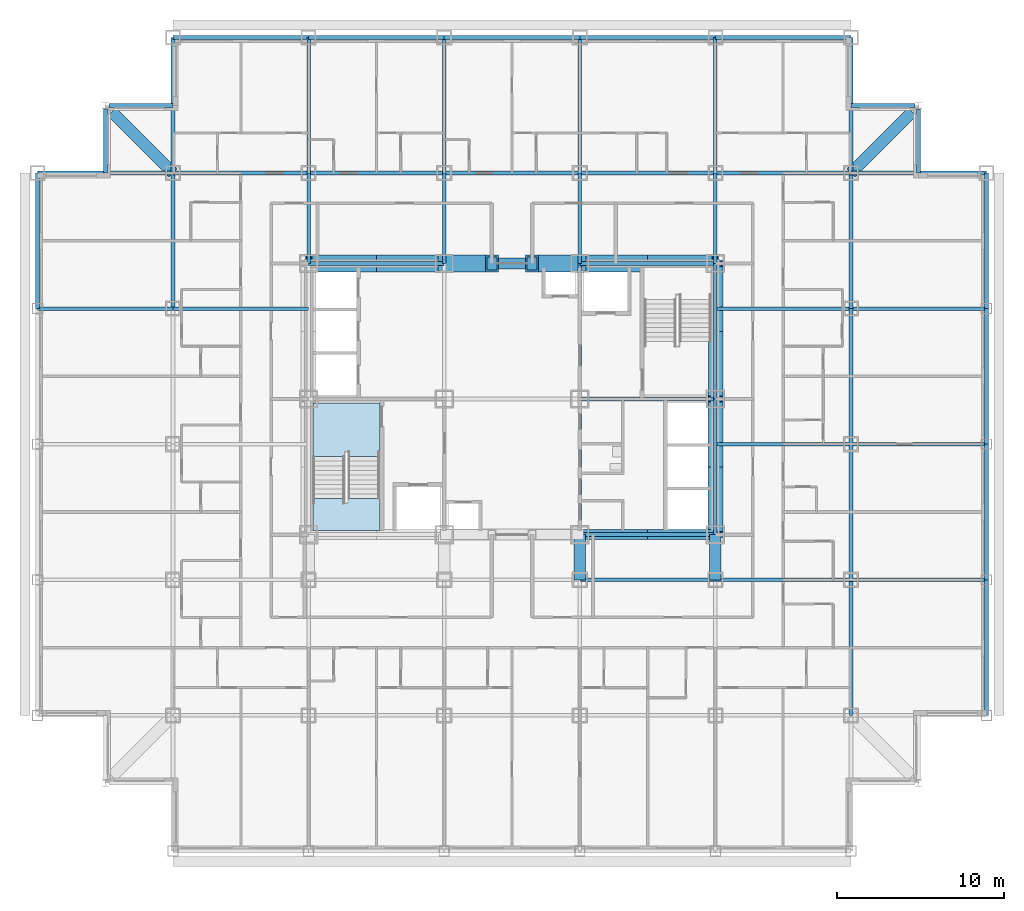
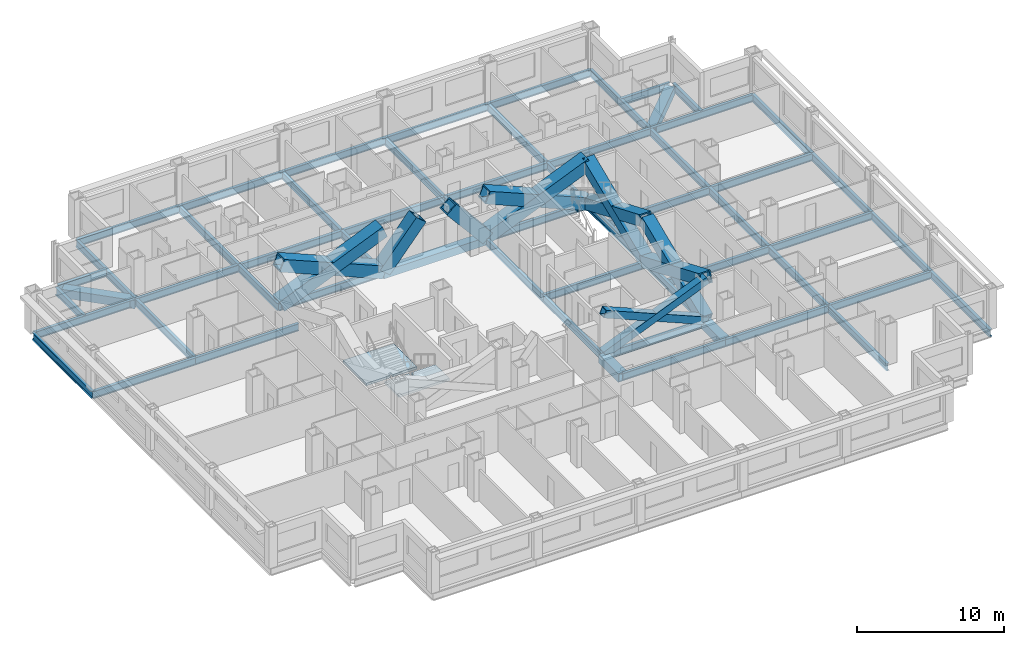
# One storey, part 2 of 13: 58 beams, 12 members, 2 slabs, 1 element without a shape of its own.
"""IFC4 building model written with IfcOpenShell, lengths in metres."""

from ifc_helpers import new_model, si_unit, direction, frame, origin, origin_2d, place, context, subcontext, project, spatial, polyline, hollow_rectangle, i_section, outline, extrude, material, layer, layer_set, material_profile, profile_set, type_object, element, aggregate, save


model = new_model("IFC4")

# Units and contexts
model_context = context("Model", 3, precision=1e-05, world=origin(), true_north=direction((0.0, 1.0)))
body_context = subcontext(model_context, "Body", "Model", "MODEL_VIEW")
ifc_project = project(units=[si_unit("LENGTHUNIT", "METRE"), si_unit("AREAUNIT", "SQUARE_METRE"), si_unit("VOLUMEUNIT", "CUBIC_METRE"), si_unit("PLANEANGLEUNIT", "RADIAN"), si_unit("MASSUNIT", "GRAM", prefix="KILO")], contexts=[model_context])

# Site, building, storey
site_placement = place(None, origin())
site = spatial("IfcSite", under=ifc_project, at=site_placement, CompositionType="ELEMENT")
building_placement = place(site_placement, origin())
building = spatial("IfcBuilding", under=site, at=building_placement, Name="Kopane Lantern Tower", CompositionType="ELEMENT")
storey_placement = place(building_placement, frame((0.0, 0.0, 113.60009765625)))
storey = spatial("IfcBuildingStorey", under=building, at=storey_placement, Name="L28", CompositionType="ELEMENT", Elevation=113.60009765625)

# Members
ifc_material_1 = material(Name="Steel S355JR", Category="steel")
ifc_material_profile_1 = material_profile(ifc_material_1, hollow_rectangle(XDim=1.0, YDim=1.0, WallThickness=0.10009765625, at=origin_2d()), Name="BOX 1000x1000x100")
ifc_profile_set_1 = profile_set([ifc_material_profile_1], Name="Steel S355JR")
member_type_1 = type_object("IfcMemberType", Name="BRACE BOX 1000x1000x100", PredefinedType="BRACE", material=ifc_profile_set_1)
for number, where, z_axis, x_axis, name in (
    (1, (16.199951171875, 40.5, -0.210205078125), (0.92205908274, 0.0, 0.387049154419), (0.0, 1.0, 0.0), "Core brace L28"),
    (2, (24.300048828125, 40.5, -0.210205078125), (-0.92205908274, 0.0, 0.387049154419), (0.0, -1.0, 0.0), "Core brace L28"),
):
    element("IfcMember", number, at=place(storey_placement, frame(where, z_axis=z_axis, x_axis=x_axis)), inside=storey, type_object=member_type_1, Name=name, PredefinedType="BRACE", context=body_context, shape_type="SweptSolid", body=[
        extrude(hollow_rectangle(XDim=1.0, YDim=1.0, WallThickness=0.10009765625, at=origin_2d()), origin(), (0.0, 0.0, 1.0), 8.784912109375),
    ])
for number, where, z_axis, x_axis, name in (
    (3, (24.300048828125, 40.5, -0.210205078125), (0.642363165114, 0.0, 0.766400394118), (0.0, 1.0, 0.0), "Core brace L28"),
    (4, (32.39990234375, 40.5, -0.210205078125), (-0.642363165114, 0.0, 0.766400394118), (0.0, -1.0, 0.0), "Core brace L28"),
):
    element("IfcMember", number, at=place(storey_placement, frame(where, z_axis=z_axis, x_axis=x_axis)), inside=storey, type_object=member_type_1, Name=name, PredefinedType="BRACE", context=body_context, shape_type="SweptSolid", body=[
        extrude(hollow_rectangle(XDim=1.0, YDim=1.0, WallThickness=0.10009765625, at=origin_2d()), origin(), (0.0, 0.0, 1.0), 4.4365234375),
    ])
for number, where, z_axis, x_axis, name in (
    (5, (32.39990234375, 40.5, -0.210205078125), (0.92205908274, 0.0, 0.387049154419), (0.0, 1.0, 0.0), "Core brace L28"),
    (6, (40.5, 40.5, -0.210205078125), (-0.92205908274, 0.0, 0.387049154419), (0.0, -1.0, 0.0), "Core brace L28"),
):
    element("IfcMember", number, at=place(storey_placement, frame(where, z_axis=z_axis, x_axis=x_axis)), inside=storey, type_object=member_type_1, Name=name, PredefinedType="BRACE", context=body_context, shape_type="SweptSolid", body=[
        extrude(hollow_rectangle(XDim=1.0, YDim=1.0, WallThickness=0.10009765625, at=origin_2d()), origin(), (0.0, 0.0, 1.0), 8.784912109375),
    ])
ifc_material_2 = material(Name="Steel S355JR", Category="steel")
ifc_material_profile_2 = material_profile(ifc_material_2, hollow_rectangle(XDim=0.60009765625, YDim=0.60009765625, WallThickness=0.050048828125, at=origin_2d()), Name="BOX 600x600x50")
ifc_profile_set_2 = profile_set([ifc_material_profile_2], Name="Steel S355JR")
member_type_2 = type_object("IfcMemberType", Name="BRACE BOX 600x600x50", PredefinedType="BRACE", material=ifc_profile_set_2)
for number, where, z_axis, x_axis, name in (
    (7, (32.39990234375, 24.300048828125, -0.210205078125), (0.92205908274, 0.0, 0.387049154419), (0.0, 1.0, 0.0), "Core brace L28"),
    (8, (40.5, 24.300048828125, -0.210205078125), (-0.92205908274, 0.0, 0.387049154419), (0.0, -1.0, 0.0), "Core brace L28"),
):
    element("IfcMember", number, at=place(storey_placement, frame(where, z_axis=z_axis, x_axis=x_axis)), inside=storey, type_object=member_type_2, Name=name, PredefinedType="BRACE", context=body_context, shape_type="SweptSolid", body=[
        extrude(hollow_rectangle(XDim=0.60009765625, YDim=0.60009765625, WallThickness=0.050048828125, at=origin_2d()), origin(), (0.0, 0.0, 1.0), 8.784912109375),
    ])
ifc_material_3 = material(Name="Steel S355JR", Category="steel")
ifc_material_profile_3 = material_profile(ifc_material_3, hollow_rectangle(XDim=0.89990234375, YDim=0.89990234375, WallThickness=0.090087890625, at=origin_2d()), Name="BOX 900x900x90")
ifc_profile_set_3 = profile_set([ifc_material_profile_3], Name="Steel S355JR")
member_type_3 = type_object("IfcMemberType", Name="BRACE BOX 900x900x90", PredefinedType="BRACE", material=ifc_profile_set_3)
for number, where, z_axis, x_axis, name in (
    (9, (40.5, 24.300048828125, -0.210205078125), (0.0, 0.92205491925, 0.387059072864), (-1.0, 0.0, 0.0), "Core brace L28"),
    (10, (40.5, 32.39990234375, -0.210205078125), (0.0, -0.92205491925, 0.387059072864), (1.0, 0.0, 0.0), "Core brace L28"),
):
    element("IfcMember", number, at=place(storey_placement, frame(where, z_axis=z_axis, x_axis=x_axis)), inside=storey, type_object=member_type_3, Name=name, PredefinedType="BRACE", context=body_context, shape_type="SweptSolid", body=[
        extrude(hollow_rectangle(XDim=0.89990234375, YDim=0.89990234375, WallThickness=0.090087890625, at=origin_2d()), origin(), (0.0, 0.0, 1.0), 8.78466796875),
    ])
for number, where, z_axis, x_axis, name in (
    (11, (40.5, 32.39990234375, -0.210205078125), (0.0, 0.92205908274, 0.387049154419), (-1.0, 0.0, 0.0), "Core brace L28"),
    (12, (40.5, 40.5, -0.210205078125), (0.0, -0.92205908274, 0.387049154419), (1.0, 0.0, 0.0), "Core brace L28"),
):
    element("IfcMember", number, at=place(storey_placement, frame(where, z_axis=z_axis, x_axis=x_axis)), inside=storey, type_object=member_type_3, Name=name, PredefinedType="BRACE", context=body_context, shape_type="SweptSolid", body=[
        extrude(hollow_rectangle(XDim=0.89990234375, YDim=0.89990234375, WallThickness=0.090087890625, at=origin_2d()), origin(), (0.0, 0.0, 1.0), 8.784912109375),
    ])

# Beams
ifc_material_4 = material(Name="Steel S355JR", Category="steel")
ifc_material_profile_4 = material_profile(ifc_material_4, i_section(OverallWidth=0.22900390625, OverallDepth=0.6123046875, WebThickness=0.011962890625, FlangeThickness=0.01953125, FilletRadius=0.0126953125, at=origin_2d()), Name="UB 610x229x125")
ifc_profile_set_4 = profile_set([ifc_material_profile_4], Name="Steel S355JR")
beam_type_1 = type_object("IfcBeamType", Name="CORE BEAM UB 610x229x125", PredefinedType="BEAM", material=ifc_profile_set_4)
beam_1_placement = place(storey_placement, frame((32.39990234375, 24.300048828125, -0.51611328125), z_axis=(0.0, 1.0, 0.0), x_axis=(-1.0, 0.0, 0.0)))
element("IfcBeam", 13, at=beam_1_placement, inside=storey, type_object=beam_type_1, Name="Core Beam L28", PredefinedType="BEAM", context=body_context, shape_type="SweptSolid", body=[
    extrude(i_section(OverallWidth=0.22900390625, OverallDepth=0.6123046875, WebThickness=0.011962890625, FlangeThickness=0.01953125, FilletRadius=0.0126953125, at=origin_2d()), origin(), (0.0, 0.0, 1.0), 8.099853515625),
])
for number, where, z_axis, x_axis, name in (
    (14, (32.39990234375, 32.39990234375, -0.51611328125), (0.0, 1.0, 0.0), (-1.0, 0.0, 0.0), "Core Beam L28"),
    (15, (32.39990234375, 32.39990234375, -0.51611328125), (1.0, 0.0, 0.0), (0.0, 1.0, 0.0), "Core Beam L28"),
):
    element("IfcBeam", number, at=place(storey_placement, frame(where, z_axis=z_axis, x_axis=x_axis)), inside=storey, type_object=beam_type_1, Name=name, PredefinedType="BEAM", context=body_context, shape_type="SweptSolid", body=[
        extrude(i_section(OverallWidth=0.22900390625, OverallDepth=0.6123046875, WebThickness=0.011962890625, FlangeThickness=0.01953125, FilletRadius=0.0126953125, at=origin_2d()), origin(), (0.0, 0.0, 1.0), 8.10009765625),
    ])
ifc_material_5 = material(Name="Steel S355JR", Category="steel")
ifc_material_profile_5 = material_profile(ifc_material_5, hollow_rectangle(XDim=0.699951171875, YDim=0.699951171875, WallThickness=0.06005859375, at=origin_2d()), Name="BOX 700x700x60")
ifc_profile_set_5 = profile_set([ifc_material_profile_5], Name="Steel S355JR")
beam_type_2 = type_object("IfcBeamType", Name="CORNER TIE BEAM BOX 700x700x60", PredefinedType="BEAM", material=ifc_profile_set_5)
beam_2_placement = place(storey_placement, frame((4.447509765625, 49.552490234375, -0.56005859375), z_axis=(0.707106781187, -0.707106781187, 0.0), x_axis=(0.707106781187, 0.707106781187, 0.0)))
element("IfcBeam", 16, at=beam_2_placement, inside=storey, type_object=beam_type_2, Name="Corner Tie Beam L28", PredefinedType="BEAM", context=body_context, shape_type="SweptSolid", body=[
    extrude(hollow_rectangle(XDim=0.699951171875, YDim=0.699951171875, WallThickness=0.06005859375, at=origin_2d()), origin(), (0.0, 0.0, 1.0), 5.16552734375),
])
beam_3_placement = place(storey_placement, frame((52.25244140625, 49.552490234375, -0.56005859375), z_axis=(-0.707083148333, -0.70713041325, 0.0), x_axis=(0.70713041325, -0.707083148333, 0.0)))
element("IfcBeam", 17, at=beam_3_placement, inside=storey, type_object=beam_type_2, Name="Corner Tie Beam L28", PredefinedType="BEAM", context=body_context, shape_type="SweptSolid", body=[
    extrude(hollow_rectangle(XDim=0.699951171875, YDim=0.699951171875, WallThickness=0.06005859375, at=origin_2d()), origin(), (0.0, 0.0, 1.0), 5.165283203125),
])
ifc_material_6 = material(Name="Steel S355JR", Category="steel")
ifc_material_profile_6 = material_profile(ifc_material_6, i_section(OverallWidth=0.22900390625, OverallDepth=0.6123046875, WebThickness=0.011962890625, FlangeThickness=0.01953125, FilletRadius=0.0126953125, at=origin_2d()), Name="UB 610x229x125")
ifc_profile_set_6 = profile_set([ifc_material_profile_6], Name="Steel S355JR")
beam_type_3 = type_object("IfcBeamType", Name="EDGE BEAM UB 610x229x125", PredefinedType="BEAM", material=ifc_profile_set_6)
for number, where, z_axis, x_axis, name in (
    (18, (4.050048828125, 49.74658203125, -0.51611328125), (0.0, -1.0, 0.0), (1.0, 0.0, 0.0), "Edge Beam L28"),
    (19, (4.25341796875, 49.949951171875, -0.51611328125), (1.0, 0.0, 0.0), (0.0, 1.0, 0.0), "Edge Beam L28"),
):
    element("IfcBeam", number, at=place(storey_placement, frame(where, z_axis=z_axis, x_axis=x_axis)), inside=storey, type_object=beam_type_3, Name=name, PredefinedType="BEAM", context=body_context, shape_type="SweptSolid", body=[
        extrude(i_section(OverallWidth=0.22900390625, OverallDepth=0.6123046875, WebThickness=0.011962890625, FlangeThickness=0.01953125, FilletRadius=0.0126953125, at=origin_2d()), origin(), (0.0, 0.0, 1.0), 3.8466796875),
    ])
beam_4_placement = place(storey_placement, frame((52.446533203125, 49.949951171875, -0.51611328125), z_axis=(-1.0, 0.0, 0.0), x_axis=(0.0, -1.0, 0.0)))
element("IfcBeam", 20, at=beam_4_placement, inside=storey, type_object=beam_type_3, Name="Edge Beam L28", PredefinedType="BEAM", context=body_context, shape_type="SweptSolid", body=[
    extrude(i_section(OverallWidth=0.22900390625, OverallDepth=0.6123046875, WebThickness=0.011962890625, FlangeThickness=0.01953125, FilletRadius=0.0126953125, at=origin_2d()), origin(), (0.0, 0.0, 1.0), 3.846435546875),
])
beam_5_placement = place(storey_placement, frame((52.64990234375, 49.74658203125, -0.51611328125), z_axis=(0.0, -1.0, 0.0), x_axis=(1.0, 0.0, 0.0)))
element("IfcBeam", 21, at=beam_5_placement, inside=storey, type_object=beam_type_3, Name="Edge Beam L28", PredefinedType="BEAM", context=body_context, shape_type="SweptSolid", body=[
    extrude(i_section(OverallWidth=0.22900390625, OverallDepth=0.6123046875, WebThickness=0.011962890625, FlangeThickness=0.01953125, FilletRadius=0.0126953125, at=origin_2d()), origin(), (0.0, 0.0, 1.0), 3.8466796875),
])
ifc_material_7 = material(Name="Steel S355JR", Category="steel")
ifc_material_profile_7 = material_profile(ifc_material_7, hollow_rectangle(XDim=0.699951171875, YDim=0.699951171875, WallThickness=0.06005859375, at=origin_2d()), Name="BOX 700x700x60")
ifc_profile_set_7 = profile_set([ifc_material_profile_7], Name="Steel S355JR")
beam_type_4 = type_object("IfcBeamType", Name="GIRDER BOX 700x700x60", PredefinedType="BEAM", material=ifc_profile_set_7)
for number, where, z_axis, x_axis, name in (
    (22, (32.39990234375, 21.60009765625, -0.56005859375), (0.0, 1.0, 0.0), (-1.0, 0.0, 0.0), "Girder L28"),
    (23, (40.5, 21.60009765625, -0.56005859375), (0.0, 1.0, 0.0), (-1.0, 0.0, 0.0), "Girder L28"),
):
    element("IfcBeam", number, at=place(storey_placement, frame(where, z_axis=z_axis, x_axis=x_axis)), inside=storey, type_object=beam_type_4, Name=name, PredefinedType="BEAM", context=body_context, shape_type="SweptSolid", body=[
        extrude(hollow_rectangle(XDim=0.699951171875, YDim=0.699951171875, WallThickness=0.06005859375, at=origin_2d()), origin(), (0.0, 0.0, 1.0), 2.699951171875),
    ])
ifc_material_8 = material(Name="Steel S355JR", Category="steel")
ifc_material_profile_8 = material_profile(ifc_material_8, i_section(OverallWidth=0.22900390625, OverallDepth=0.6123046875, WebThickness=0.011962890625, FlangeThickness=0.01953125, FilletRadius=0.0126953125, at=origin_2d()), Name="UB 610x229x125")
ifc_profile_set_8 = profile_set([ifc_material_profile_8], Name="Steel S355JR")
beam_type_5 = type_object("IfcBeamType", Name="GIRDER UB 610x229x125", PredefinedType="BEAM", material=ifc_profile_set_8)
beam_6_placement = place(storey_placement, frame((0.0, 37.800048828125, -0.51611328125), z_axis=(0.0, 1.0, 0.0), x_axis=(-1.0, 0.0, 0.0)))
element("IfcBeam", 24, at=beam_6_placement, inside=storey, type_object=beam_type_5, Name="Girder L28", PredefinedType="BEAM", context=body_context, shape_type="SweptSolid", body=[
    extrude(i_section(OverallWidth=0.22900390625, OverallDepth=0.6123046875, WebThickness=0.011962890625, FlangeThickness=0.01953125, FilletRadius=0.0126953125, at=origin_2d()), origin(), (0.0, 0.0, 1.0), 8.099853515625),
])
for number, where, z_axis, x_axis, name in (
    (25, (0.0, 37.800048828125, -0.51611328125), (1.0, 0.0, 0.0), (0.0, 1.0, 0.0), "Girder L28"),
    (26, (0.0, 45.89990234375, -0.51611328125), (1.0, 0.0, 0.0), (0.0, 1.0, 0.0), "Girder L28"),
):
    element("IfcBeam", number, at=place(storey_placement, frame(where, z_axis=z_axis, x_axis=x_axis)), inside=storey, type_object=beam_type_5, Name=name, PredefinedType="BEAM", context=body_context, shape_type="SweptSolid", body=[
        extrude(i_section(OverallWidth=0.22900390625, OverallDepth=0.6123046875, WebThickness=0.011962890625, FlangeThickness=0.01953125, FilletRadius=0.0126953125, at=origin_2d()), origin(), (0.0, 0.0, 1.0), 8.10009765625),
    ])
for number, where, z_axis, x_axis, name in (
    (27, (8.10009765625, 37.800048828125, -0.51611328125), (0.0, 1.0, 0.0), (-1.0, 0.0, 0.0), "Girder L28"),
    (28, (8.10009765625, 37.800048828125, -0.51611328125), (1.0, 0.0, 0.0), (0.0, 1.0, 0.0), "Girder L28"),
):
    element("IfcBeam", number, at=place(storey_placement, frame(where, z_axis=z_axis, x_axis=x_axis)), inside=storey, type_object=beam_type_5, Name=name, PredefinedType="BEAM", context=body_context, shape_type="SweptSolid", body=[
        extrude(i_section(OverallWidth=0.22900390625, OverallDepth=0.6123046875, WebThickness=0.011962890625, FlangeThickness=0.01953125, FilletRadius=0.0126953125, at=origin_2d()), origin(), (0.0, 0.0, 1.0), 8.099853515625),
    ])
beam_7_placement = place(storey_placement, frame((8.10009765625, 45.89990234375, -0.51611328125), z_axis=(0.0, 1.0, 0.0), x_axis=(-1.0, 0.0, 0.0)))
element("IfcBeam", 29, at=beam_7_placement, inside=storey, type_object=beam_type_5, Name="Girder L28", PredefinedType="BEAM", context=body_context, shape_type="SweptSolid", body=[
    extrude(i_section(OverallWidth=0.22900390625, OverallDepth=0.6123046875, WebThickness=0.011962890625, FlangeThickness=0.01953125, FilletRadius=0.0126953125, at=origin_2d()), origin(), (0.0, 0.0, 1.0), 8.10009765625),
])
for number, where, z_axis, x_axis, name in (
    (30, (8.10009765625, 45.89990234375, -0.51611328125), (1.0, 0.0, 0.0), (0.0, 1.0, 0.0), "Girder L28"),
    (31, (8.10009765625, 54.0, -0.51611328125), (1.0, 0.0, 0.0), (0.0, 1.0, 0.0), "Girder L28"),
):
    element("IfcBeam", number, at=place(storey_placement, frame(where, z_axis=z_axis, x_axis=x_axis)), inside=storey, type_object=beam_type_5, Name=name, PredefinedType="BEAM", context=body_context, shape_type="SweptSolid", body=[
        extrude(i_section(OverallWidth=0.22900390625, OverallDepth=0.6123046875, WebThickness=0.011962890625, FlangeThickness=0.01953125, FilletRadius=0.0126953125, at=origin_2d()), origin(), (0.0, 0.0, 1.0), 8.099853515625),
    ])
beam_8_placement = place(storey_placement, frame((16.199951171875, 40.5, -0.51611328125), z_axis=(0.0, 1.0, 0.0), x_axis=(-1.0, 0.0, 0.0)))
element("IfcBeam", 32, at=beam_8_placement, inside=storey, type_object=beam_type_5, Name="Girder L28", PredefinedType="BEAM", context=body_context, shape_type="SweptSolid", body=[
    extrude(i_section(OverallWidth=0.22900390625, OverallDepth=0.6123046875, WebThickness=0.011962890625, FlangeThickness=0.01953125, FilletRadius=0.0126953125, at=origin_2d()), origin(), (0.0, 0.0, 1.0), 5.39990234375),
])
for number, where, z_axis, x_axis, name in (
    (33, (16.199951171875, 40.5, -0.51611328125), (1.0, 0.0, 0.0), (0.0, 1.0, 0.0), "Girder L28"),
    (34, (16.199951171875, 45.89990234375, -0.51611328125), (0.0, 1.0, 0.0), (-1.0, 0.0, 0.0), "Girder L28"),
    (35, (16.199951171875, 45.89990234375, -0.51611328125), (1.0, 0.0, 0.0), (0.0, 1.0, 0.0), "Girder L28"),
    (36, (16.199951171875, 54.0, -0.51611328125), (1.0, 0.0, 0.0), (0.0, 1.0, 0.0), "Girder L28"),
):
    element("IfcBeam", number, at=place(storey_placement, frame(where, z_axis=z_axis, x_axis=x_axis)), inside=storey, type_object=beam_type_5, Name=name, PredefinedType="BEAM", context=body_context, shape_type="SweptSolid", body=[
        extrude(i_section(OverallWidth=0.22900390625, OverallDepth=0.6123046875, WebThickness=0.011962890625, FlangeThickness=0.01953125, FilletRadius=0.0126953125, at=origin_2d()), origin(), (0.0, 0.0, 1.0), 8.10009765625),
    ])
beam_9_placement = place(storey_placement, frame((24.300048828125, 40.5, -0.51611328125), z_axis=(0.0, 1.0, 0.0), x_axis=(-1.0, 0.0, 0.0)))
element("IfcBeam", 37, at=beam_9_placement, inside=storey, type_object=beam_type_5, Name="Girder L28", PredefinedType="BEAM", context=body_context, shape_type="SweptSolid", body=[
    extrude(i_section(OverallWidth=0.22900390625, OverallDepth=0.6123046875, WebThickness=0.011962890625, FlangeThickness=0.01953125, FilletRadius=0.0126953125, at=origin_2d()), origin(), (0.0, 0.0, 1.0), 5.39990234375),
])
beam_10_placement = place(storey_placement, frame((24.300048828125, 45.89990234375, -0.51611328125), z_axis=(0.0, 1.0, 0.0), x_axis=(-1.0, 0.0, 0.0)))
element("IfcBeam", 38, at=beam_10_placement, inside=storey, type_object=beam_type_5, Name="Girder L28", PredefinedType="BEAM", context=body_context, shape_type="SweptSolid", body=[
    extrude(i_section(OverallWidth=0.22900390625, OverallDepth=0.6123046875, WebThickness=0.011962890625, FlangeThickness=0.01953125, FilletRadius=0.0126953125, at=origin_2d()), origin(), (0.0, 0.0, 1.0), 8.10009765625),
])
for number, where, z_axis, x_axis, name in (
    (39, (24.300048828125, 45.89990234375, -0.51611328125), (1.0, 0.0, 0.0), (0.0, 1.0, 0.0), "Girder L28"),
    (40, (24.300048828125, 54.0, -0.51611328125), (1.0, 0.0, 0.0), (0.0, 1.0, 0.0), "Girder L28"),
):
    element("IfcBeam", number, at=place(storey_placement, frame(where, z_axis=z_axis, x_axis=x_axis)), inside=storey, type_object=beam_type_5, Name=name, PredefinedType="BEAM", context=body_context, shape_type="SweptSolid", body=[
        extrude(i_section(OverallWidth=0.22900390625, OverallDepth=0.6123046875, WebThickness=0.011962890625, FlangeThickness=0.01953125, FilletRadius=0.0126953125, at=origin_2d()), origin(), (0.0, 0.0, 1.0), 8.099853515625),
    ])
for number, where, z_axis, x_axis, name in (
    (41, (32.39990234375, 21.60009765625, -0.51611328125), (1.0, 0.0, 0.0), (0.0, 1.0, 0.0), "Girder L28"),
    (42, (32.39990234375, 24.300048828125, -0.51611328125), (1.0, 0.0, 0.0), (0.0, 1.0, 0.0), "Girder L28"),
):
    element("IfcBeam", number, at=place(storey_placement, frame(where, z_axis=z_axis, x_axis=x_axis)), inside=storey, type_object=beam_type_5, Name=name, PredefinedType="BEAM", context=body_context, shape_type="SweptSolid", body=[
        extrude(i_section(OverallWidth=0.22900390625, OverallDepth=0.6123046875, WebThickness=0.011962890625, FlangeThickness=0.01953125, FilletRadius=0.0126953125, at=origin_2d()), origin(), (0.0, 0.0, 1.0), 8.10009765625),
    ])
beam_11_placement = place(storey_placement, frame((32.39990234375, 40.5, -0.51611328125), z_axis=(0.0, 1.0, 0.0), x_axis=(-1.0, 0.0, 0.0)))
element("IfcBeam", 43, at=beam_11_placement, inside=storey, type_object=beam_type_5, Name="Girder L28", PredefinedType="BEAM", context=body_context, shape_type="SweptSolid", body=[
    extrude(i_section(OverallWidth=0.22900390625, OverallDepth=0.6123046875, WebThickness=0.011962890625, FlangeThickness=0.01953125, FilletRadius=0.0126953125, at=origin_2d()), origin(), (0.0, 0.0, 1.0), 5.39990234375),
])
for number, where, z_axis, x_axis, name in (
    (44, (32.39990234375, 40.5, -0.51611328125), (1.0, 0.0, 0.0), (0.0, 1.0, 0.0), "Girder L28"),
    (45, (32.39990234375, 45.89990234375, -0.51611328125), (0.0, 1.0, 0.0), (-1.0, 0.0, 0.0), "Girder L28"),
    (46, (32.39990234375, 45.89990234375, -0.51611328125), (1.0, 0.0, 0.0), (0.0, 1.0, 0.0), "Girder L28"),
    (47, (32.39990234375, 54.0, -0.51611328125), (1.0, 0.0, 0.0), (0.0, 1.0, 0.0), "Girder L28"),
    (48, (40.5, 21.60009765625, -0.51611328125), (1.0, 0.0, 0.0), (0.0, 1.0, 0.0), "Girder L28"),
):
    element("IfcBeam", number, at=place(storey_placement, frame(where, z_axis=z_axis, x_axis=x_axis)), inside=storey, type_object=beam_type_5, Name=name, PredefinedType="BEAM", context=body_context, shape_type="SweptSolid", body=[
        extrude(i_section(OverallWidth=0.22900390625, OverallDepth=0.6123046875, WebThickness=0.011962890625, FlangeThickness=0.01953125, FilletRadius=0.0126953125, at=origin_2d()), origin(), (0.0, 0.0, 1.0), 8.10009765625),
    ])
beam_12_placement = place(storey_placement, frame((40.5, 24.300048828125, -0.51611328125), z_axis=(0.0, 1.0, 0.0), x_axis=(-1.0, 0.0, 0.0)))
element("IfcBeam", 49, at=beam_12_placement, inside=storey, type_object=beam_type_5, Name="Girder L28", PredefinedType="BEAM", context=body_context, shape_type="SweptSolid", body=[
    extrude(i_section(OverallWidth=0.22900390625, OverallDepth=0.6123046875, WebThickness=0.011962890625, FlangeThickness=0.01953125, FilletRadius=0.0126953125, at=origin_2d()), origin(), (0.0, 0.0, 1.0), 8.099853515625),
])
for number, where, z_axis, x_axis, name in (
    (50, (40.5, 29.699951171875, -0.51611328125), (1.0, 0.0, 0.0), (0.0, 1.0, 0.0), "Girder L28"),
    (51, (40.5, 32.39990234375, -0.51611328125), (0.0, 1.0, 0.0), (-1.0, 0.0, 0.0), "Girder L28"),
    (52, (40.5, 37.800048828125, -0.51611328125), (1.0, 0.0, 0.0), (0.0, 1.0, 0.0), "Girder L28"),
):
    element("IfcBeam", number, at=place(storey_placement, frame(where, z_axis=z_axis, x_axis=x_axis)), inside=storey, type_object=beam_type_5, Name=name, PredefinedType="BEAM", context=body_context, shape_type="SweptSolid", body=[
        extrude(i_section(OverallWidth=0.22900390625, OverallDepth=0.6123046875, WebThickness=0.011962890625, FlangeThickness=0.01953125, FilletRadius=0.0126953125, at=origin_2d()), origin(), (0.0, 0.0, 1.0), 8.10009765625),
    ])
beam_13_placement = place(storey_placement, frame((40.5, 40.5, -0.51611328125), z_axis=(0.0, 1.0, 0.0), x_axis=(-1.0, 0.0, 0.0)))
element("IfcBeam", 53, at=beam_13_placement, inside=storey, type_object=beam_type_5, Name="Girder L28", PredefinedType="BEAM", context=body_context, shape_type="SweptSolid", body=[
    extrude(i_section(OverallWidth=0.22900390625, OverallDepth=0.6123046875, WebThickness=0.011962890625, FlangeThickness=0.01953125, FilletRadius=0.0126953125, at=origin_2d()), origin(), (0.0, 0.0, 1.0), 5.39990234375),
])
for number, where, z_axis, x_axis, name in (
    (54, (40.5, 45.89990234375, -0.51611328125), (0.0, 1.0, 0.0), (-1.0, 0.0, 0.0), "Girder L28"),
    (55, (40.5, 45.89990234375, -0.51611328125), (1.0, 0.0, 0.0), (0.0, 1.0, 0.0), "Girder L28"),
    (56, (40.5, 54.0, -0.51611328125), (1.0, 0.0, 0.0), (0.0, 1.0, 0.0), "Girder L28"),
    (57, (48.60009765625, 13.5, -0.51611328125), (0.0, 1.0, 0.0), (-1.0, 0.0, 0.0), "Girder L28"),
):
    element("IfcBeam", number, at=place(storey_placement, frame(where, z_axis=z_axis, x_axis=x_axis)), inside=storey, type_object=beam_type_5, Name=name, PredefinedType="BEAM", context=body_context, shape_type="SweptSolid", body=[
        extrude(i_section(OverallWidth=0.22900390625, OverallDepth=0.6123046875, WebThickness=0.011962890625, FlangeThickness=0.01953125, FilletRadius=0.0126953125, at=origin_2d()), origin(), (0.0, 0.0, 1.0), 8.10009765625),
    ])
for number, where, z_axis, x_axis, name in (
    (58, (48.60009765625, 21.60009765625, -0.51611328125), (0.0, 1.0, 0.0), (-1.0, 0.0, 0.0), "Girder L28"),
    (59, (48.60009765625, 21.60009765625, -0.51611328125), (1.0, 0.0, 0.0), (0.0, 1.0, 0.0), "Girder L28"),
):
    element("IfcBeam", number, at=place(storey_placement, frame(where, z_axis=z_axis, x_axis=x_axis)), inside=storey, type_object=beam_type_5, Name=name, PredefinedType="BEAM", context=body_context, shape_type="SweptSolid", body=[
        extrude(i_section(OverallWidth=0.22900390625, OverallDepth=0.6123046875, WebThickness=0.011962890625, FlangeThickness=0.01953125, FilletRadius=0.0126953125, at=origin_2d()), origin(), (0.0, 0.0, 1.0), 8.099853515625),
    ])
beam_14_placement = place(storey_placement, frame((48.60009765625, 29.699951171875, -0.51611328125), z_axis=(0.0, 1.0, 0.0), x_axis=(-1.0, 0.0, 0.0)))
element("IfcBeam", 60, at=beam_14_placement, inside=storey, type_object=beam_type_5, Name="Girder L28", PredefinedType="BEAM", context=body_context, shape_type="SweptSolid", body=[
    extrude(i_section(OverallWidth=0.22900390625, OverallDepth=0.6123046875, WebThickness=0.011962890625, FlangeThickness=0.01953125, FilletRadius=0.0126953125, at=origin_2d()), origin(), (0.0, 0.0, 1.0), 8.10009765625),
])
for number, where, z_axis, x_axis, name in (
    (61, (48.60009765625, 29.699951171875, -0.51611328125), (1.0, 0.0, 0.0), (0.0, 1.0, 0.0), "Girder L28"),
    (62, (48.60009765625, 37.800048828125, -0.51611328125), (0.0, 1.0, 0.0), (-1.0, 0.0, 0.0), "Girder L28"),
    (63, (48.60009765625, 37.800048828125, -0.51611328125), (1.0, 0.0, 0.0), (0.0, 1.0, 0.0), "Girder L28"),
):
    element("IfcBeam", number, at=place(storey_placement, frame(where, z_axis=z_axis, x_axis=x_axis)), inside=storey, type_object=beam_type_5, Name=name, PredefinedType="BEAM", context=body_context, shape_type="SweptSolid", body=[
        extrude(i_section(OverallWidth=0.22900390625, OverallDepth=0.6123046875, WebThickness=0.011962890625, FlangeThickness=0.01953125, FilletRadius=0.0126953125, at=origin_2d()), origin(), (0.0, 0.0, 1.0), 8.099853515625),
    ])
beam_15_placement = place(storey_placement, frame((48.60009765625, 45.89990234375, -0.51611328125), z_axis=(0.0, 1.0, 0.0), x_axis=(-1.0, 0.0, 0.0)))
element("IfcBeam", 64, at=beam_15_placement, inside=storey, type_object=beam_type_5, Name="Girder L28", PredefinedType="BEAM", context=body_context, shape_type="SweptSolid", body=[
    extrude(i_section(OverallWidth=0.22900390625, OverallDepth=0.6123046875, WebThickness=0.011962890625, FlangeThickness=0.01953125, FilletRadius=0.0126953125, at=origin_2d()), origin(), (0.0, 0.0, 1.0), 8.10009765625),
])
beam_16_placement = place(storey_placement, frame((48.60009765625, 45.89990234375, -0.51611328125), z_axis=(1.0, 0.0, 0.0), x_axis=(0.0, 1.0, 0.0)))
element("IfcBeam", 65, at=beam_16_placement, inside=storey, type_object=beam_type_5, Name="Girder L28", PredefinedType="BEAM", context=body_context, shape_type="SweptSolid", body=[
    extrude(i_section(OverallWidth=0.22900390625, OverallDepth=0.6123046875, WebThickness=0.011962890625, FlangeThickness=0.01953125, FilletRadius=0.0126953125, at=origin_2d()), origin(), (0.0, 0.0, 1.0), 8.099853515625),
])
beam_17_placement = place(storey_placement, frame((56.699951171875, 13.5, -0.51611328125), z_axis=(0.0, 1.0, 0.0), x_axis=(-1.0, 0.0, 0.0)))
element("IfcBeam", 66, at=beam_17_placement, inside=storey, type_object=beam_type_5, Name="Girder L28", PredefinedType="BEAM", context=body_context, shape_type="SweptSolid", body=[
    extrude(i_section(OverallWidth=0.22900390625, OverallDepth=0.6123046875, WebThickness=0.011962890625, FlangeThickness=0.01953125, FilletRadius=0.0126953125, at=origin_2d()), origin(), (0.0, 0.0, 1.0), 8.10009765625),
])
beam_18_placement = place(storey_placement, frame((56.699951171875, 21.60009765625, -0.51611328125), z_axis=(0.0, 1.0, 0.0), x_axis=(-1.0, 0.0, 0.0)))
element("IfcBeam", 67, at=beam_18_placement, inside=storey, type_object=beam_type_5, Name="Girder L28", PredefinedType="BEAM", context=body_context, shape_type="SweptSolid", body=[
    extrude(i_section(OverallWidth=0.22900390625, OverallDepth=0.6123046875, WebThickness=0.011962890625, FlangeThickness=0.01953125, FilletRadius=0.0126953125, at=origin_2d()), origin(), (0.0, 0.0, 1.0), 8.099853515625),
])
beam_19_placement = place(storey_placement, frame((56.699951171875, 29.699951171875, -0.51611328125), z_axis=(0.0, 1.0, 0.0), x_axis=(-1.0, 0.0, 0.0)))
element("IfcBeam", 68, at=beam_19_placement, inside=storey, type_object=beam_type_5, Name="Girder L28", PredefinedType="BEAM", context=body_context, shape_type="SweptSolid", body=[
    extrude(i_section(OverallWidth=0.22900390625, OverallDepth=0.6123046875, WebThickness=0.011962890625, FlangeThickness=0.01953125, FilletRadius=0.0126953125, at=origin_2d()), origin(), (0.0, 0.0, 1.0), 8.10009765625),
])
beam_20_placement = place(storey_placement, frame((56.699951171875, 37.800048828125, -0.51611328125), z_axis=(0.0, 1.0, 0.0), x_axis=(-1.0, 0.0, 0.0)))
element("IfcBeam", 69, at=beam_20_placement, inside=storey, type_object=beam_type_5, Name="Girder L28", PredefinedType="BEAM", context=body_context, shape_type="SweptSolid", body=[
    extrude(i_section(OverallWidth=0.22900390625, OverallDepth=0.6123046875, WebThickness=0.011962890625, FlangeThickness=0.01953125, FilletRadius=0.0126953125, at=origin_2d()), origin(), (0.0, 0.0, 1.0), 8.099853515625),
])
ifc_material_9 = material(Name="Steel S355JR", Category="steel")
ifc_material_profile_9 = material_profile(ifc_material_9, hollow_rectangle(XDim=0.64990234375, YDim=0.64990234375, WallThickness=0.070068359375, at=origin_2d()), Name="BOX 650x650x70")
ifc_profile_set_9 = profile_set([ifc_material_profile_9], Name="Steel S355JR")
beam_type_6 = type_object("IfcBeamType", Name="LINK BEAM BOX 650x650x70", PredefinedType="BEAM", material=ifc_profile_set_9)
beam_21_placement = place(storey_placement, frame((24.300048828125, 40.5, -0.53515625), z_axis=(1.0, 0.0, 0.0), x_axis=(0.0, 1.0, 0.0)))
element("IfcBeam", 70, at=beam_21_placement, inside=storey, type_object=beam_type_6, Name="Link Beam L28", PredefinedType="BEAM", context=body_context, shape_type="SweptSolid", body=[
    extrude(hollow_rectangle(XDim=0.64990234375, YDim=0.64990234375, WallThickness=0.070068359375, at=origin_2d()), origin(), (0.0, 0.0, 1.0), 8.099853515625),
])

# Stair, slabs
ifc_material_10 = material(Name="Steel S355JR", Category="steel")
stair_type = type_object("IfcStairType", Name="EXIT STAIR 1900 HALF TURN", PredefinedType="HALF_TURN_STAIR", material=ifc_material_10)
stair_placement = place(storey_placement, origin())
stair = element("IfcStair", 71, at=stair_placement, inside=storey, type_object=stair_type, Name="Exit stair ST1 L28", PredefinedType="HALF_TURN_STAIR")
ifc_material_11 = material(Name="Concrete C40/50", Category="concrete")
ifc_layer = layer(ifc_material_11, 0.199951171875)
ifc_layer_set = layer_set([ifc_layer], Name="STAIR LANDING 200")
slab_type = type_object("IfcSlabType", Name="STAIR LANDING 200", PredefinedType="LANDING", material=ifc_layer_set)
slab_1_placement = place(storey_placement, frame((0.0, 0.0, -0.2001953125)))
slab_1 = element("IfcSlab", 72, at=slab_1_placement, type_object=slab_type, Name="ST1 landing 1", PredefinedType="LANDING", context=body_context, shape_type="SweptSolid", body=[
    extrude(outline(polyline([(18.35009765625, 29.25), (18.550048828125, 29.25), (18.550048828125, 28.969970703125), (20.449951171875, 28.969970703125), (20.449951171875, 32.14990234375), (16.449951171875, 32.14990234375), (16.449951171875, 28.969970703125), (18.35009765625, 28.969970703125), (18.35009765625, 29.25)])), origin(), (0.0, 0.0, 1.0), 0.2001953125),
])
slab_2_placement = place(storey_placement, frame((0.0, 0.0, 1.5)))
slab_2 = element("IfcSlab", 73, at=slab_2_placement, type_object=slab_type, Name="ST1 landing 2", PredefinedType="LANDING", context=body_context, shape_type="SweptSolid", body=[
    extrude(outline(polyline([(20.449951171875, 26.449951171875), (18.550048828125, 26.449951171875), (18.550048828125, 26.169921875), (18.35009765625, 26.169921875), (18.35009765625, 26.449951171875), (16.449951171875, 26.449951171875), (16.449951171875, 24.550048828125), (20.449951171875, 24.550048828125), (20.449951171875, 26.449951171875)])), origin(), (0.0, 0.0, 1.0), 0.199951171875),
])
aggregate(stair, [slab_1, slab_2])

save(model, "model.ifc")
